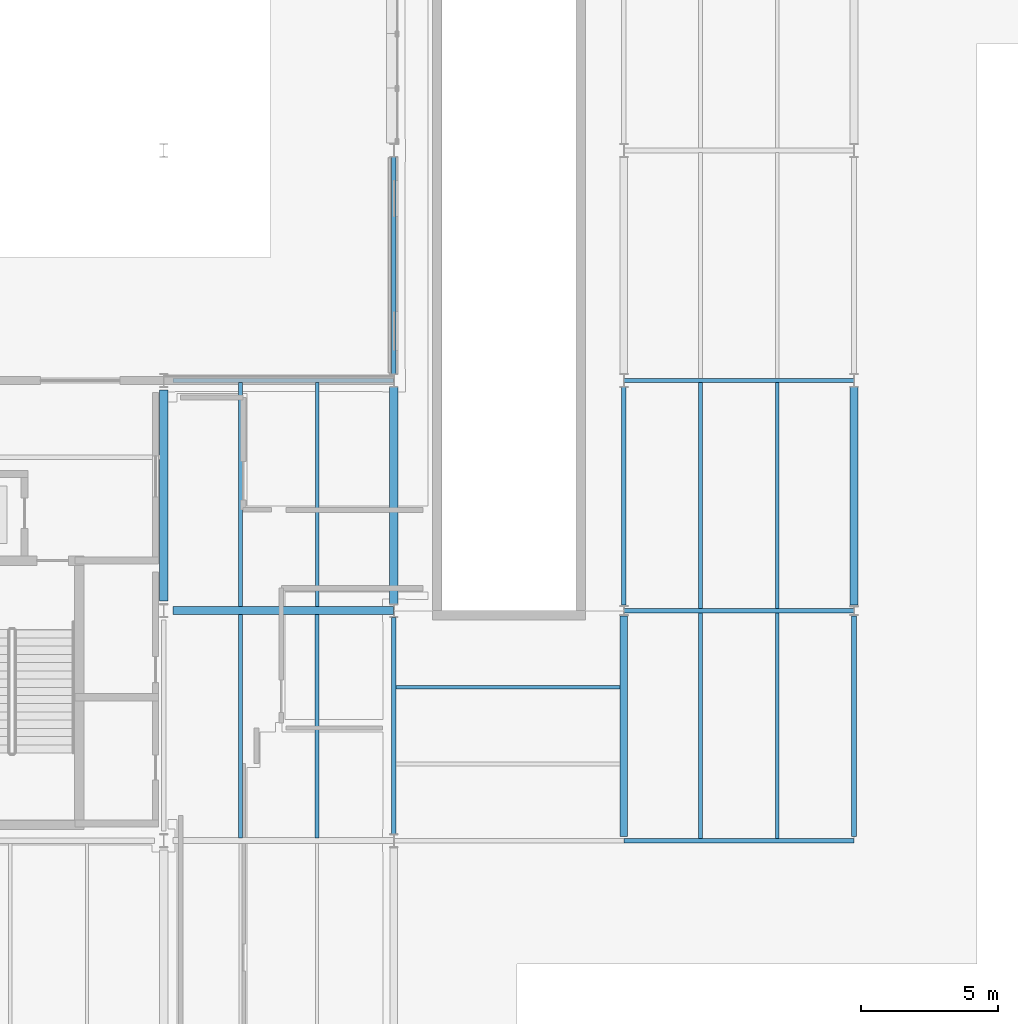
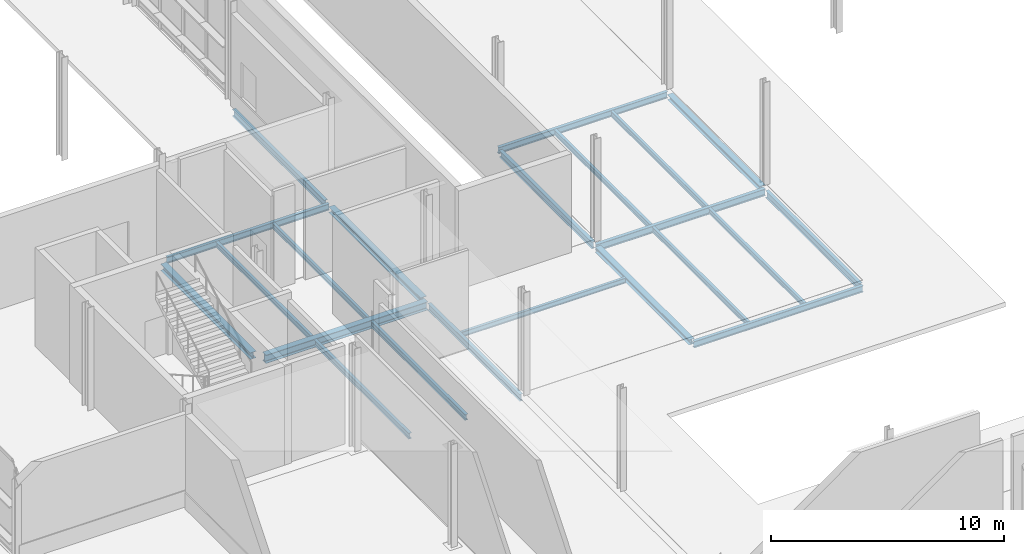
# One storey, part 35 of 124: 22 beams.
"""IFC4 building model written with IfcOpenShell, lengths in metres."""

from ifc_helpers import new_model, si_unit, direction, frame, origin, origin_2d, place, context, subcontext, project, spatial, i_section, extrude, material, material_profile, profile_set, type_object, element, save


model = new_model("IFC4")

# Units and contexts
model_context = context("Model", 3, precision=1e-05, world=origin(), true_north=direction((0.0, 1.0)))
body_context = subcontext(model_context, "Body", "Model", "MODEL_VIEW")
ifc_project = project(units=[si_unit("LENGTHUNIT", "METRE"), si_unit("AREAUNIT", "SQUARE_METRE"), si_unit("VOLUMEUNIT", "CUBIC_METRE"), si_unit("PLANEANGLEUNIT", "RADIAN"), si_unit("MASSUNIT", "GRAM", prefix="KILO")], contexts=[model_context])

# Site, building, storey
site_placement = place(None, origin())
site = spatial("IfcSite", under=ifc_project, at=site_placement, CompositionType="ELEMENT")
building_placement = place(site_placement, origin())
building = spatial("IfcBuilding", under=site, at=building_placement, Name="Mersafa Astral City Hall", CompositionType="ELEMENT")
storey_placement = place(building_placement, origin())
storey = spatial("IfcBuildingStorey", under=building, at=storey_placement, Name="L00", CompositionType="ELEMENT", Elevation=0.0)

# Beams
ifc_material = material(Name="Steel S355", Category="steel")
ifc_material_profile_1 = material_profile(ifc_material, i_section(OverallWidth=0.300048828125, OverallDepth=0.31005859375, WebThickness=0.009033203125, FlangeThickness=0.015380859375, FilletRadius=0.027099609375, at=origin_2d()), Name="HEA 320")
ifc_profile_set_1 = profile_set([ifc_material_profile_1], Name="Steel S355")
beam_type_1 = type_object("IfcBeamType", Name="STR-BM-HEA320", PredefinedType="BEAM", material=ifc_profile_set_1)
beam_1_placement = place(storey_placement, frame((25.199951171875, 84.2451171875, -0.405029296875), z_axis=(0.0, 1.0, 0.0), x_axis=(-1.0, 0.0, 0.0)))
element("IfcBeam", 1, at=beam_1_placement, inside=storey, type_object=beam_type_1, Name="L00 Primary girder Y 3-10", PredefinedType="BEAM", context=body_context, shape_type="SweptSolid", body=[
    extrude(i_section(OverallWidth=0.300048828125, OverallDepth=0.31005859375, WebThickness=0.009033203125, FlangeThickness=0.015380859375, FilletRadius=0.027099609375, at=origin_2d()), origin(), (0.0, 0.0, 1.0), 7.909912109375),
])
ifc_material_profile_2 = material_profile(ifc_material, i_section(OverallWidth=0.300048828125, OverallDepth=0.35009765625, WebThickness=0.010009765625, FlangeThickness=0.017578125, FilletRadius=0.027099609375, at=origin_2d()), Name="HEA 360")
ifc_profile_set_2 = profile_set([ifc_material_profile_2], Name="Steel S355")
beam_type_2 = type_object("IfcBeamType", Name="STR-BM-HEA360", PredefinedType="BEAM", material=ifc_profile_set_2)
beam_2_placement = place(storey_placement, frame((16.800048828125, 84.344970703125, -0.425048828125), z_axis=(0.0, 1.0, 0.0), x_axis=(-1.0, 0.0, 0.0)))
element("IfcBeam", 2, at=beam_2_placement, inside=storey, type_object=beam_type_2, Name="L00 Primary girder Y 2-10", PredefinedType="BEAM", context=body_context, shape_type="SweptSolid", body=[
    extrude(i_section(OverallWidth=0.300048828125, OverallDepth=0.35009765625, WebThickness=0.010009765625, FlangeThickness=0.017578125, FilletRadius=0.027099609375, at=origin_2d()), origin(), (0.0, 0.0, 1.0), 7.7099609375),
])
ifc_material_profile_3 = material_profile(ifc_material, i_section(OverallWidth=0.300048828125, OverallDepth=0.43994140625, WebThickness=0.011474609375, FlangeThickness=0.02099609375, FilletRadius=0.027099609375, at=origin_2d()), Name="HEA 450")
ifc_profile_set_3 = profile_set([ifc_material_profile_3], Name="Steel S355")
beam_type_3 = type_object("IfcBeamType", Name="STR-BM-HEA450", PredefinedType="BEAM", material=ifc_profile_set_3)
beam_3_placement = place(storey_placement, frame((17.14501953125, 84.0, -0.469970703125), z_axis=(1.0, 0.0, 0.0), x_axis=(0.0, 1.0, 0.0)))
element("IfcBeam", 3, at=beam_3_placement, inside=storey, type_object=beam_type_3, Name="L00 Primary girder X 2-10", PredefinedType="BEAM", context=body_context, shape_type="SweptSolid", body=[
    extrude(i_section(OverallWidth=0.300048828125, OverallDepth=0.43994140625, WebThickness=0.011474609375, FlangeThickness=0.02099609375, FilletRadius=0.027099609375, at=origin_2d()), origin(), (0.0, 0.0, 1.0), 8.052001953125),
])
ifc_material_profile_4 = material_profile(ifc_material, i_section(OverallWidth=0.135009765625, OverallDepth=0.27001953125, WebThickness=0.006591796875, FlangeThickness=0.01025390625, FilletRadius=0.014892578125, at=origin_2d()), Name="IPE 270")
ifc_profile_set_4 = profile_set([ifc_material_profile_4], Name="Steel S355")
beam_type_4 = type_object("IfcBeamType", Name="STR-BM-JOIST-IPE270", PredefinedType="JOIST", material=ifc_profile_set_4)
for number, where, z_axis, x_axis, name in (
    (4, (19.60009765625, 84.14501953125, -0.385009765625), (0.0, 1.0, 0.0), (-1.0, 0.0, 0.0), "L00 Composite secondary floor joist 20"),
    (5, (22.39990234375, 84.14501953125, -0.385009765625), (0.0, 1.0, 0.0), (-1.0, 0.0, 0.0), "L00 Composite secondary floor joist 21"),
):
    element("IfcBeam", number, at=place(storey_placement, frame(where, z_axis=z_axis, x_axis=x_axis)), inside=storey, type_object=beam_type_4, Name=name, PredefinedType="JOIST", context=body_context, shape_type="SweptSolid", body=[
        extrude(i_section(OverallWidth=0.135009765625, OverallDepth=0.27001953125, WebThickness=0.006591796875, FlangeThickness=0.01025390625, FilletRadius=0.014892578125, at=origin_2d()), origin(), (0.0, 0.0, 1.0), 8.179931640625),
    ])
beam_4_placement = place(storey_placement, frame((25.280029296875, 81.199951171875, -0.385009765625), z_axis=(1.0, 0.0, 0.0), x_axis=(0.0, 1.0, 0.0)))
element("IfcBeam", 6, at=beam_4_placement, inside=storey, type_object=beam_type_4, Name="L00 Flat roof secondary joist 2", PredefinedType="JOIST", context=body_context, shape_type="SweptSolid", body=[
    extrude(i_section(OverallWidth=0.135009765625, OverallDepth=0.27001953125, WebThickness=0.006591796875, FlangeThickness=0.01025390625, FilletRadius=0.014892578125, at=origin_2d()), origin(), (0.0, 0.0, 1.0), 8.18505859375),
])
for number, where, z_axis, x_axis, name in (
    (7, (36.39990234375, 75.675048828125, -0.385009765625), (0.0, 1.0, 0.0), (-1.0, 0.0, 0.0), "L00 Flat roof secondary joist 3"),
    (8, (39.199951171875, 75.675048828125, -0.385009765625), (0.0, 1.0, 0.0), (-1.0, 0.0, 0.0), "L00 Flat roof secondary joist 4"),
    (9, (36.39990234375, 84.080078125, -0.385009765625), (0.0, 1.0, 0.0), (-1.0, 0.0, 0.0), "L00 Flat roof secondary joist 5"),
    (10, (39.199951171875, 84.080078125, -0.385009765625), (0.0, 1.0, 0.0), (-1.0, 0.0, 0.0), "L00 Flat roof secondary joist 6"),
):
    element("IfcBeam", number, at=place(storey_placement, frame(where, z_axis=z_axis, x_axis=x_axis)), inside=storey, type_object=beam_type_4, Name=name, PredefinedType="JOIST", context=body_context, shape_type="SweptSolid", body=[
        extrude(i_section(OverallWidth=0.135009765625, OverallDepth=0.27001953125, WebThickness=0.006591796875, FlangeThickness=0.01025390625, FilletRadius=0.014892578125, at=origin_2d()), origin(), (0.0, 0.0, 1.0), 8.244873046875),
    ])
ifc_material_profile_5 = material_profile(ifc_material, i_section(OverallWidth=0.14990234375, OverallDepth=0.300048828125, WebThickness=0.007080078125, FlangeThickness=0.0107421875, FilletRadius=0.014892578125, at=origin_2d()), Name="IPE 300")
ifc_profile_set_5 = profile_set([ifc_material_profile_5], Name="Steel S355")
beam_type_5 = type_object("IfcBeamType", Name="STR-BM-JOIST-IPE300", PredefinedType="JOIST", material=ifc_profile_set_5)
for number, where, z_axis, x_axis, name in (
    (11, (19.60009765625, 75.705078125, -0.39990234375), (0.0, 1.0, 0.0), (-1.0, 0.0, 0.0), "L00 Composite secondary floor joist 18"),
    (12, (22.39990234375, 75.705078125, -0.39990234375), (0.0, 1.0, 0.0), (-1.0, 0.0, 0.0), "L00 Composite secondary floor joist 19"),
):
    element("IfcBeam", number, at=place(storey_placement, frame(where, z_axis=z_axis, x_axis=x_axis)), inside=storey, type_object=beam_type_5, Name=name, PredefinedType="JOIST", context=body_context, shape_type="SweptSolid", body=[
        extrude(i_section(OverallWidth=0.14990234375, OverallDepth=0.300048828125, WebThickness=0.007080078125, FlangeThickness=0.0107421875, FilletRadius=0.014892578125, at=origin_2d()), origin(), (0.0, 0.0, 1.0), 8.14990234375),
    ])
ifc_material_profile_6 = material_profile(ifc_material, i_section(OverallWidth=0.280029296875, OverallDepth=0.27001953125, WebThickness=0.008056640625, FlangeThickness=0.012939453125, FilletRadius=0.02392578125, at=origin_2d()), Name="HEA 280")
ifc_profile_set_6 = profile_set([ifc_material_profile_6], Name="Steel S355")
beam_type_6 = type_object("IfcBeamType", Name="STR-BM-SPANDREL-HEA280", PredefinedType="SPANDREL", material=ifc_profile_set_6)
beam_5_placement = place(storey_placement, frame((33.60009765625, 75.7451171875, -0.385009765625), z_axis=(0.0, 1.0, 0.0), x_axis=(-1.0, 0.0, 0.0)))
element("IfcBeam", 13, at=beam_5_placement, inside=storey, type_object=beam_type_6, Name="L00 Primary girder Y 4-9", PredefinedType="SPANDREL", context=body_context, shape_type="SweptSolid", body=[
    extrude(i_section(OverallWidth=0.280029296875, OverallDepth=0.27001953125, WebThickness=0.008056640625, FlangeThickness=0.012939453125, FilletRadius=0.02392578125, at=origin_2d()), origin(), (0.0, 0.0, 1.0), 8.059814453125),
])
beam_6_placement = place(storey_placement, frame((42.0, 84.195068359375, -0.385009765625), z_axis=(0.0, 1.0, 0.0), x_axis=(-1.0, 0.0, 0.0)))
element("IfcBeam", 14, at=beam_6_placement, inside=storey, type_object=beam_type_6, Name="L00 Primary girder Y 5-10", PredefinedType="SPANDREL", context=body_context, shape_type="SweptSolid", body=[
    extrude(i_section(OverallWidth=0.280029296875, OverallDepth=0.27001953125, WebThickness=0.008056640625, FlangeThickness=0.012939453125, FilletRadius=0.02392578125, at=origin_2d()), origin(), (0.0, 0.0, 1.0), 7.9599609375),
])
ifc_material_profile_7 = material_profile(ifc_material, i_section(OverallWidth=0.159912109375, OverallDepth=0.330078125, WebThickness=0.007568359375, FlangeThickness=0.011474609375, FilletRadius=0.01806640625, at=origin_2d()), Name="IPE 330")
ifc_profile_set_7 = profile_set([ifc_material_profile_7], Name="Steel S355")
beam_type_7 = type_object("IfcBeamType", Name="STR-BM-SPANDREL-IPE330", PredefinedType="SPANDREL", material=ifc_profile_set_7)
beam_7_placement = place(storey_placement, frame((33.60302734375, 75.60009765625, -0.4150390625), z_axis=(1.0, 0.0, 0.0), x_axis=(0.0, 1.0, 0.0)))
element("IfcBeam", 15, at=beam_7_placement, inside=storey, type_object=beam_type_7, Name="L00 Primary girder X 4-9", PredefinedType="SPANDREL", context=body_context, shape_type="SweptSolid", body=[
    extrude(i_section(OverallWidth=0.159912109375, OverallDepth=0.330078125, WebThickness=0.007568359375, FlangeThickness=0.011474609375, FilletRadius=0.01806640625, at=origin_2d()), origin(), (0.0, 0.0, 1.0), 8.39404296875),
])
beam_8_placement = place(storey_placement, frame((17.14501953125, 92.39990234375, -0.4150390625), z_axis=(1.0, 0.0, 0.0), x_axis=(0.0, 1.0, 0.0)))
element("IfcBeam", 16, at=beam_8_placement, inside=storey, type_object=beam_type_7, Name="L00 Primary girder X 2-11", PredefinedType="SPANDREL", context=body_context, shape_type="SweptSolid", body=[
    extrude(i_section(OverallWidth=0.159912109375, OverallDepth=0.330078125, WebThickness=0.007568359375, FlangeThickness=0.011474609375, FilletRadius=0.01806640625, at=origin_2d()), origin(), (0.0, 0.0, 1.0), 8.052001953125),
])
beam_9_placement = place(storey_placement, frame((33.60302734375, 92.39990234375, -0.4150390625), z_axis=(1.0, 0.0, 0.0), x_axis=(0.0, 1.0, 0.0)))
element("IfcBeam", 17, at=beam_9_placement, inside=storey, type_object=beam_type_7, Name="L00 Primary girder X 4-11", PredefinedType="SPANDREL", context=body_context, shape_type="SweptSolid", body=[
    extrude(i_section(OverallWidth=0.159912109375, OverallDepth=0.330078125, WebThickness=0.007568359375, FlangeThickness=0.011474609375, FilletRadius=0.01806640625, at=origin_2d()), origin(), (0.0, 0.0, 1.0), 8.39404296875),
])
ifc_material_profile_8 = material_profile(ifc_material, i_section(OverallWidth=0.169921875, OverallDepth=0.360107421875, WebThickness=0.008056640625, FlangeThickness=0.0126953125, FilletRadius=0.01806640625, at=origin_2d()), Name="IPE 360")
ifc_profile_set_8 = profile_set([ifc_material_profile_8], Name="Steel S355")
beam_type_8 = type_object("IfcBeamType", Name="STR-BM-SPANDREL-IPE360", PredefinedType="SPANDREL", material=ifc_profile_set_8)
beam_10_placement = place(storey_placement, frame((33.60302734375, 84.0, -0.429931640625), z_axis=(1.0, 0.0, 0.0), x_axis=(0.0, 1.0, 0.0)))
element("IfcBeam", 18, at=beam_10_placement, inside=storey, type_object=beam_type_8, Name="L00 Primary girder X 4-10", PredefinedType="SPANDREL", context=body_context, shape_type="SweptSolid", body=[
    extrude(i_section(OverallWidth=0.169921875, OverallDepth=0.360107421875, WebThickness=0.008056640625, FlangeThickness=0.0126953125, FilletRadius=0.01806640625, at=origin_2d()), origin(), (0.0, 0.0, 1.0), 8.39404296875),
])
for number, where, z_axis, x_axis, name in (
    (19, (25.199951171875, 75.844970703125, -0.429931640625), (0.0, 1.0, 0.0), (-1.0, 0.0, 0.0), "L00 Primary girder Y 3-9"),
    (20, (25.199951171875, 92.64501953125, -0.429931640625), (0.0, 1.0, 0.0), (-1.0, 0.0, 0.0), "L00 Primary girder Y 3-11"),
):
    element("IfcBeam", number, at=place(storey_placement, frame(where, z_axis=z_axis, x_axis=x_axis)), inside=storey, type_object=beam_type_8, Name=name, PredefinedType="SPANDREL", context=body_context, shape_type="SweptSolid", body=[
        extrude(i_section(OverallWidth=0.169921875, OverallDepth=0.360107421875, WebThickness=0.008056640625, FlangeThickness=0.0126953125, FilletRadius=0.01806640625, at=origin_2d()), origin(), (0.0, 0.0, 1.0), 7.909912109375),
    ])
beam_11_placement = place(storey_placement, frame((33.60009765625, 84.195068359375, -0.429931640625), z_axis=(0.0, 1.0, 0.0), x_axis=(-1.0, 0.0, 0.0)))
element("IfcBeam", 21, at=beam_11_placement, inside=storey, type_object=beam_type_8, Name="L00 Primary girder Y 4-10", PredefinedType="SPANDREL", context=body_context, shape_type="SweptSolid", body=[
    extrude(i_section(OverallWidth=0.169921875, OverallDepth=0.360107421875, WebThickness=0.008056640625, FlangeThickness=0.0126953125, FilletRadius=0.01806640625, at=origin_2d()), origin(), (0.0, 0.0, 1.0), 7.9599609375),
])
beam_12_placement = place(storey_placement, frame((42.0, 75.7451171875, -0.429931640625), z_axis=(0.0, 1.0, 0.0), x_axis=(-1.0, 0.0, 0.0)))
element("IfcBeam", 22, at=beam_12_placement, inside=storey, type_object=beam_type_8, Name="L00 Primary girder Y 5-9", PredefinedType="SPANDREL", context=body_context, shape_type="SweptSolid", body=[
    extrude(i_section(OverallWidth=0.169921875, OverallDepth=0.360107421875, WebThickness=0.008056640625, FlangeThickness=0.0126953125, FilletRadius=0.01806640625, at=origin_2d()), origin(), (0.0, 0.0, 1.0), 8.059814453125),
])

save(model, "model.ifc")
